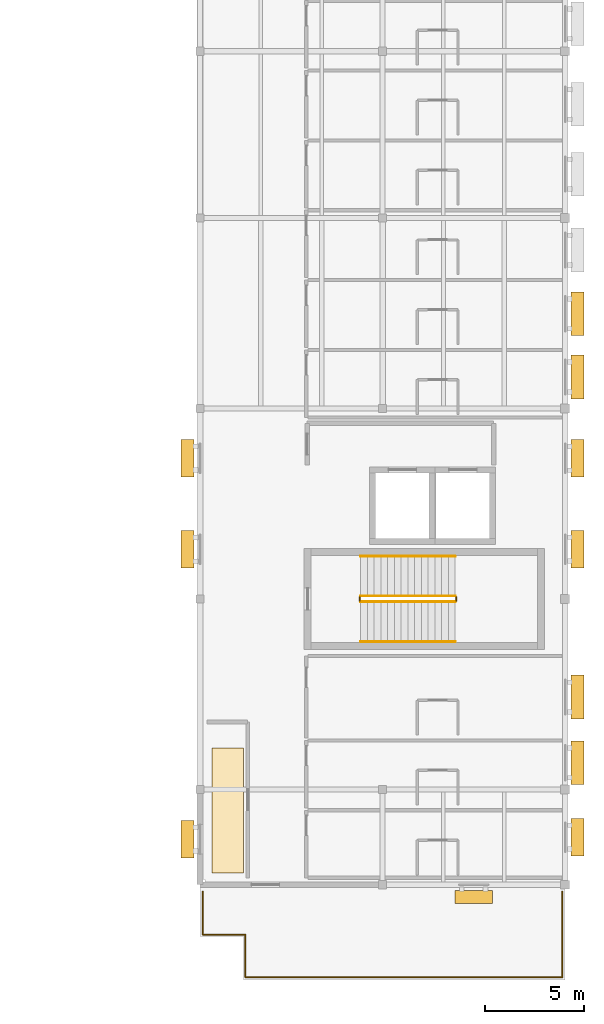
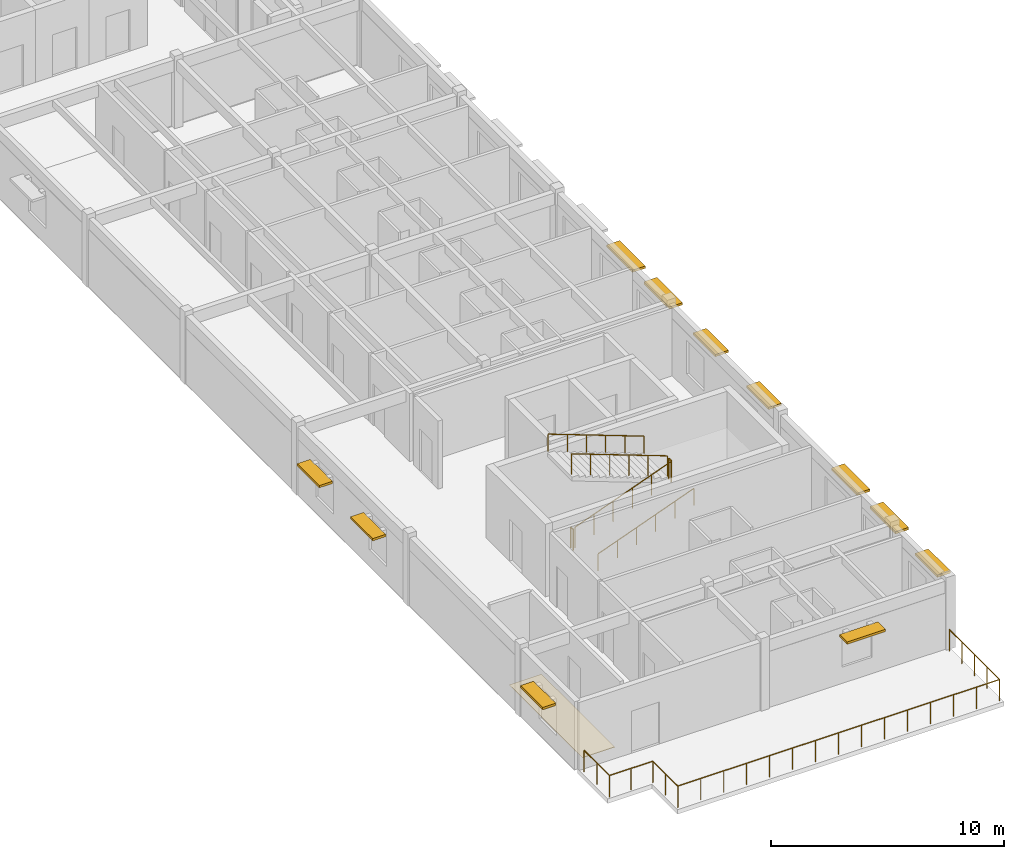
# One storey, part 12 of 15: 11 shading devices, 7 railings, 1 covering.
"""IFC4 building model written with IfcOpenShell, lengths in metres."""

from ifc_helpers import new_model, si_unit, direction, frame, origin, origin_2d, place, context, subcontext, project, spatial, polyline, rectangle, circle, outline, extrude, material, layer, layer_set, type_object, element, save


model = new_model("IFC4")

# Units and contexts
model_context = context("Model", 3, precision=1e-05, world=origin(), true_north=direction((0.0, 1.0)))
body_context = subcontext(model_context, "Body", "Model", "MODEL_VIEW")
ifc_project = project(units=[si_unit("LENGTHUNIT", "METRE"), si_unit("AREAUNIT", "SQUARE_METRE"), si_unit("VOLUMEUNIT", "CUBIC_METRE"), si_unit("PLANEANGLEUNIT", "RADIAN"), si_unit("MASSUNIT", "GRAM", prefix="KILO")], contexts=[model_context])

# Site, building, storey
site_placement = place(None, origin())
site = spatial("IfcSite", under=ifc_project, at=site_placement, CompositionType="ELEMENT")
building_placement = place(site_placement, origin())
building = spatial("IfcBuilding", under=site, at=building_placement, Name="Veldera Park Congress Hotel", CompositionType="ELEMENT")
storey_placement = place(building_placement, frame((0.0, 0.0, 39.0)))
storey = spatial("IfcBuildingStorey", under=building, at=storey_placement, Name="L09", CompositionType="ELEMENT", Elevation=39.0)

# Railing
ifc_material_1 = material(Name="Low-E Triple Insulating Glass Unit (SHGC 0.22)", Category="glass")
railing_type_1 = type_object("IfcRailingType", Name="BAL-TER115", PredefinedType="BALUSTRADE", material=ifc_material_1)
railing_1_placement = place(storey_placement, frame((65.739990234375, -23.739990234375, 0.0)))
element("IfcRailing", 1, at=railing_1_placement, inside=storey, type_object=railing_type_1, Name="L09 Terrace Guard 007", PredefinedType="BALUSTRADE", context=body_context, shape_type="SweptSolid", body=[
    extrude(circle(Radius=0.02392578125, at=origin_2d()), frame((0.0, 0.0, 1.1259765625), z_axis=(0.0, -1.0, 0.0), x_axis=(1.0, 0.0, 0.0)), (0.0, 0.0, 1.0), 2.169921875),
    extrude(circle(Radius=0.02392578125, at=origin_2d()), frame((0.0, -2.169921875, 1.1259765625), z_axis=(1.0, 0.0, 0.0), x_axis=(0.0, 1.0, 0.0)), (0.0, 0.0, 1.0), 2.14990234375),
    extrude(circle(Radius=0.02392578125, at=origin_2d()), frame((2.14990234375, -2.169921875, 1.1259765625), z_axis=(0.0, -1.0, 0.0), x_axis=(1.0, 0.0, 0.0)), (0.0, 0.0, 1.0), 2.150146484375),
    extrude(circle(Radius=0.02392578125, at=origin_2d()), frame((2.14990234375, -4.320068359375, 1.1259765625), z_axis=(1.0, 0.0, 0.0), x_axis=(0.0, 1.0, 0.0)), (0.0, 0.0, 1.0), 15.97021484375),
    extrude(circle(Radius=0.02392578125, at=origin_2d()), frame((18.1201171875, -4.320068359375, 1.1259765625), z_axis=(0.0, 1.0, 0.0), x_axis=(-1.0, 0.0, 0.0)), (0.0, 0.0, 1.0), 4.320068359375),
    extrude(circle(Radius=0.02099609375, at=origin_2d()), origin(), (0.0, 0.0, 1.0), 1.101806640625),
    extrude(circle(Radius=0.02099609375, at=origin_2d()), frame((0.0, -1.0849609375, 0.0)), (0.0, 0.0, 1.0), 1.101806640625),
    extrude(circle(Radius=0.02099609375, at=origin_2d()), frame((0.0, -2.169921875, 0.0)), (0.0, 0.0, 1.0), 1.101806640625),
    extrude(circle(Radius=0.02099609375, at=origin_2d()), frame((1.074951171875, -2.169921875, 0.0)), (0.0, 0.0, 1.0), 1.101806640625),
    extrude(circle(Radius=0.02099609375, at=origin_2d()), frame((2.14990234375, -2.169921875, 0.0)), (0.0, 0.0, 1.0), 1.101806640625),
    extrude(circle(Radius=0.02099609375, at=origin_2d()), frame((2.14990234375, -3.2451171875, 0.0)), (0.0, 0.0, 1.0), 1.101806640625),
    extrude(circle(Radius=0.02099609375, at=origin_2d()), frame((2.14990234375, -4.320068359375, 0.0)), (0.0, 0.0, 1.0), 1.101806640625),
    extrude(circle(Radius=0.02099609375, at=origin_2d()), frame((3.29052734375, -4.320068359375, 0.0)), (0.0, 0.0, 1.0), 1.101806640625),
    extrude(circle(Radius=0.02099609375, at=origin_2d()), frame((4.431396484375, -4.320068359375, 0.0)), (0.0, 0.0, 1.0), 1.101806640625),
    extrude(circle(Radius=0.02099609375, at=origin_2d()), frame((5.572021484375, -4.320068359375, 0.0)), (0.0, 0.0, 1.0), 1.101806640625),
    extrude(circle(Radius=0.02099609375, at=origin_2d()), frame((6.712890625, -4.320068359375, 0.0)), (0.0, 0.0, 1.0), 1.101806640625),
    extrude(circle(Radius=0.02099609375, at=origin_2d()), frame((7.853515625, -4.320068359375, 0.0)), (0.0, 0.0, 1.0), 1.101806640625),
    extrude(circle(Radius=0.02099609375, at=origin_2d()), frame((8.994384765625, -4.320068359375, 0.0)), (0.0, 0.0, 1.0), 1.101806640625),
    extrude(circle(Radius=0.02099609375, at=origin_2d()), frame((10.135009765625, -4.320068359375, 0.0)), (0.0, 0.0, 1.0), 1.101806640625),
    extrude(circle(Radius=0.02099609375, at=origin_2d()), frame((11.275634765625, -4.320068359375, 0.0)), (0.0, 0.0, 1.0), 1.101806640625),
    extrude(circle(Radius=0.02099609375, at=origin_2d()), frame((12.41650390625, -4.320068359375, 0.0)), (0.0, 0.0, 1.0), 1.101806640625),
    extrude(circle(Radius=0.02099609375, at=origin_2d()), frame((13.55712890625, -4.320068359375, 0.0)), (0.0, 0.0, 1.0), 1.101806640625),
    extrude(circle(Radius=0.02099609375, at=origin_2d()), frame((14.697998046875, -4.320068359375, 0.0)), (0.0, 0.0, 1.0), 1.101806640625),
    extrude(circle(Radius=0.02099609375, at=origin_2d()), frame((15.838623046875, -4.320068359375, 0.0)), (0.0, 0.0, 1.0), 1.101806640625),
    extrude(circle(Radius=0.02099609375, at=origin_2d()), frame((16.9794921875, -4.320068359375, 0.0)), (0.0, 0.0, 1.0), 1.101806640625),
    extrude(circle(Radius=0.02099609375, at=origin_2d()), frame((18.1201171875, -4.320068359375, 0.0)), (0.0, 0.0, 1.0), 1.101806640625),
    extrude(circle(Radius=0.02099609375, at=origin_2d()), frame((18.1201171875, -3.239990234375, 0.0)), (0.0, 0.0, 1.0), 1.101806640625),
    extrude(circle(Radius=0.02099609375, at=origin_2d()), frame((18.1201171875, -2.16015625, 0.0)), (0.0, 0.0, 1.0), 1.101806640625),
    extrude(circle(Radius=0.02099609375, at=origin_2d()), frame((18.1201171875, -1.080078125, 0.0)), (0.0, 0.0, 1.0), 1.101806640625),
    extrude(circle(Radius=0.02099609375, at=origin_2d()), frame((18.1201171875, 0.0, 0.0)), (0.0, 0.0, 1.0), 1.101806640625),
])

# Covering
ifc_material_2 = material(Name="Engineered White Oak Plank Flooring", Category="wood")
ifc_layer = layer(ifc_material_2, 0.02197265625)
ifc_layer_set = layer_set([ifc_layer], Name="Engineered White Oak Plank Flooring")
covering_type = type_object("IfcCoveringType", Name="COV-FLR-OAK", PredefinedType="FLOORING", material=ifc_layer_set)
covering_placement = place(storey_placement, origin())
element("IfcCovering", 2, at=covering_placement, inside=storey, type_object=covering_type, Name="Canyon Overlook Lounge Oak Flooring", PredefinedType="FLOORING", context=body_context, shape_type="SweptSolid", body=[
    extrude(outline(polyline([(66.199951171875, -22.800048828125), (67.800048828125, -22.800048828125), (67.800048828125, -16.5), (66.199951171875, -16.5), (66.199951171875, -22.800048828125)])), origin(), (0.0, 0.0, 1.0), 0.02197265625),
])

# Railings
ifc_material_3 = material(Name="Steel ASTM A992 Gr.50", Category="steel")
railing_type_2 = type_object("IfcRailingType", Name="GRD-ST110", PredefinedType="GUARDRAIL", material=ifc_material_3)
railing_2_placement = place(storey_placement, frame((73.699951171875, -9.14990234375, 0.126708984375)))
element("IfcRailing", 3, at=railing_2_placement, inside=storey, type_object=railing_type_2, Name="L09 ST2 stair guard 1", PredefinedType="GUARDRAIL", context=body_context, shape_type="SweptSolid", body=[
    extrude(circle(Radius=0.02392578125, at=origin_2d()), frame((0.0, 0.0, 1.076171875), z_axis=(0.937091363699, 0.0, 0.349084196263), x_axis=(0.0, 1.0, 0.0)), (0.0, 0.0, 1.0), 5.07958984375),
    extrude(circle(Radius=0.02099609375, at=origin_2d()), origin(), (0.0, 0.0, 1.0), 1.052001953125),
    extrude(circle(Radius=0.02099609375, at=origin_2d()), frame((0.951904296875, 0.0, 0.354736328125)), (0.0, 0.0, 1.0), 1.052001953125),
    extrude(circle(Radius=0.02099609375, at=origin_2d()), frame((1.904052734375, 0.0, 0.709228515625)), (0.0, 0.0, 1.0), 1.052001953125),
    extrude(circle(Radius=0.02099609375, at=origin_2d()), frame((2.85595703125, 0.0, 1.06396484375)), (0.0, 0.0, 1.0), 1.052001953125),
    extrude(circle(Radius=0.02099609375, at=origin_2d()), frame((3.80810546875, 0.0, 1.41845703125)), (0.0, 0.0, 1.0), 1.052001953125),
    extrude(circle(Radius=0.02099609375, at=origin_2d()), frame((4.760009765625, 0.0, 1.773193359375)), (0.0, 0.0, 1.0), 1.052001953125),
])
railing_3_placement = place(storey_placement, frame((78.510009765625, -9.10009765625, 1.89990234375)))
element("IfcRailing", 4, at=railing_3_placement, inside=storey, type_object=railing_type_2, Name="L09 ST2 stair guard 2", PredefinedType="GUARDRAIL", context=body_context, shape_type="SweptSolid", body=[
    extrude(circle(Radius=0.02392578125, at=origin_2d()), frame((0.0, 0.0, 1.076171875), z_axis=(0.0, 1.0, 0.0), x_axis=(-1.0, 0.0, 0.0)), (0.0, 0.0, 1.0), 0.2001953125),
    extrude(circle(Radius=0.02099609375, at=origin_2d()), origin(), (0.0, 0.0, 1.0), 1.052001953125),
    extrude(circle(Radius=0.02099609375, at=origin_2d()), frame((0.0, 0.2001953125, 0.0)), (0.0, 0.0, 1.0), 1.052001953125),
])
railing_4_placement = place(storey_placement, frame((78.4599609375, -8.85009765625, 2.026611328125)))
element("IfcRailing", 5, at=railing_4_placement, inside=storey, type_object=railing_type_2, Name="L09 ST2 stair guard 3", PredefinedType="GUARDRAIL", context=body_context, shape_type="SweptSolid", body=[
    extrude(circle(Radius=0.02392578125, at=origin_2d()), frame((0.0, 0.0, 1.076171875), z_axis=(-0.937075640343, 0.0, 0.349126401572), x_axis=(0.0, -1.0, 0.0)), (0.0, 0.0, 1.0), 5.07958984375),
    extrude(circle(Radius=0.02099609375, at=origin_2d()), origin(), (0.0, 0.0, 1.0), 1.052001953125),
    extrude(circle(Radius=0.02099609375, at=origin_2d()), frame((-0.951904296875, 0.0, 0.354736328125)), (0.0, 0.0, 1.0), 1.052001953125),
    extrude(circle(Radius=0.02099609375, at=origin_2d()), frame((-1.904052734375, 0.0, 0.70947265625)), (0.0, 0.0, 1.0), 1.052001953125),
    extrude(circle(Radius=0.02099609375, at=origin_2d()), frame((-2.85595703125, 0.0, 1.06396484375)), (0.0, 0.0, 1.0), 1.052001953125),
    extrude(circle(Radius=0.02099609375, at=origin_2d()), frame((-3.80810546875, 0.0, 1.418701171875)), (0.0, 0.0, 1.0), 1.052001953125),
    extrude(circle(Radius=0.02099609375, at=origin_2d()), frame((-4.760009765625, 0.0, 1.7734375)), (0.0, 0.0, 1.0), 1.052001953125),
])
railing_5_placement = place(storey_placement, frame((73.64990234375, -9.10009765625, 0.0)))
element("IfcRailing", 6, at=railing_5_placement, inside=storey, type_object=railing_type_2, Name="L09 ST2 stair guard 4", PredefinedType="GUARDRAIL", context=body_context, shape_type="SweptSolid", body=[
    extrude(circle(Radius=0.02392578125, at=origin_2d()), frame((0.0, 0.0, 1.076171875), z_axis=(0.0, 1.0, 0.0), x_axis=(-1.0, 0.0, 0.0)), (0.0, 0.0, 1.0), 0.2001953125),
    extrude(circle(Radius=0.02099609375, at=origin_2d()), origin(), (0.0, 0.0, 1.0), 1.052001953125),
    extrude(circle(Radius=0.02099609375, at=origin_2d()), frame((0.0, 0.2001953125, 0.0)), (0.0, 0.0, 1.0), 1.052001953125),
])
railing_type_3 = type_object("IfcRailingType", Name="HRL-920", PredefinedType="HANDRAIL", material=ifc_material_3)
railing_6_placement = place(storey_placement, frame((73.699951171875, -11.14990234375, 0.126708984375)))
element("IfcRailing", 7, at=railing_6_placement, inside=storey, type_object=railing_type_3, Name="L09 ST2 stair handrail 1", PredefinedType="HANDRAIL", context=body_context, shape_type="SweptSolid", body=[
    extrude(circle(Radius=0.02392578125, at=origin_2d()), frame((0.0, 0.0, 0.89599609375), z_axis=(0.937091363699, 0.0, 0.349084196263), x_axis=(0.0, 1.0, 0.0)), (0.0, 0.0, 1.0), 5.07958984375),
    extrude(circle(Radius=0.02099609375, at=origin_2d()), origin(), (0.0, 0.0, 1.0), 0.871826171875),
    extrude(circle(Radius=0.02099609375, at=origin_2d()), frame((0.951904296875, 0.0, 0.354736328125)), (0.0, 0.0, 1.0), 0.871826171875),
    extrude(circle(Radius=0.02099609375, at=origin_2d()), frame((1.904052734375, 0.0, 0.709228515625)), (0.0, 0.0, 1.0), 0.871826171875),
    extrude(circle(Radius=0.02099609375, at=origin_2d()), frame((2.85595703125, 0.0, 1.06396484375)), (0.0, 0.0, 1.0), 0.871826171875),
    extrude(circle(Radius=0.02099609375, at=origin_2d()), frame((3.80810546875, 0.0, 1.41845703125)), (0.0, 0.0, 1.0), 0.871826171875),
    extrude(circle(Radius=0.02099609375, at=origin_2d()), frame((4.760009765625, 0.0, 1.773193359375)), (0.0, 0.0, 1.0), 0.871826171875),
])
railing_7_placement = place(storey_placement, frame((78.4599609375, -6.85009765625, 2.026611328125)))
element("IfcRailing", 8, at=railing_7_placement, inside=storey, type_object=railing_type_3, Name="L09 ST2 stair handrail 2", PredefinedType="HANDRAIL", context=body_context, shape_type="SweptSolid", body=[
    extrude(circle(Radius=0.02392578125, at=origin_2d()), frame((0.0, 0.0, 0.89599609375), z_axis=(-0.937075640343, 0.0, 0.349126401572), x_axis=(0.0, -1.0, 0.0)), (0.0, 0.0, 1.0), 5.07958984375),
    extrude(circle(Radius=0.02099609375, at=origin_2d()), origin(), (0.0, 0.0, 1.0), 0.871826171875),
    extrude(circle(Radius=0.02099609375, at=origin_2d()), frame((-0.951904296875, 0.0, 0.354736328125)), (0.0, 0.0, 1.0), 0.871826171875),
    extrude(circle(Radius=0.02099609375, at=origin_2d()), frame((-1.904052734375, 0.0, 0.70947265625)), (0.0, 0.0, 1.0), 0.871826171875),
    extrude(circle(Radius=0.02099609375, at=origin_2d()), frame((-2.85595703125, 0.0, 1.06396484375)), (0.0, 0.0, 1.0), 0.871826171875),
    extrude(circle(Radius=0.02099609375, at=origin_2d()), frame((-3.80810546875, 0.0, 1.418701171875)), (0.0, 0.0, 1.0), 0.871826171875),
    extrude(circle(Radius=0.02099609375, at=origin_2d()), frame((-4.760009765625, 0.0, 1.7734375)), (0.0, 0.0, 1.0), 0.871826171875),
])

# Shading devices
ifc_material_4 = material(Name="Glulam GL28h (NDS 24F-V4)", Category="wood")
shading_device_type = type_object("IfcShadingDeviceType", Name="SHD-LVR300", PredefinedType="JALOUSIE", material=ifc_material_4)
for number, where, z_axis, x_axis, name in (
    (9, (79.392578125, -24.02490234375, 2.619873046875), (0.0, 0.0, 1.0), (1.0, 0.0, 0.0), "Glulam Solar Shade 231"),
    (10, (84.625, -21.0, 2.619873046875), (0.0, 0.0, 1.0), (0.0, 1.0, 0.0), "Glulam Solar Shade 232"),
    (11, (84.625, -6.488525390625, 2.619873046875), (0.0, 0.0, 1.0), (0.0, 1.0, 0.0), "Glulam Solar Shade 233"),
    (12, (84.625, -1.91162109375, 2.619873046875), (0.0, 0.0, 1.0), (0.0, 1.0, 0.0), "Glulam Solar Shade 234"),
    (13, (64.97509765625, -1.904052734375, 2.619873046875), (0.0, 0.0, 1.0), (0.0, -1.0, 0.0), "Glulam Solar Shade 245"),
    (14, (64.97509765625, -6.49609375, 2.619873046875), (0.0, 0.0, 1.0), (0.0, -1.0, 0.0), "Glulam Solar Shade 246"),
    (15, (64.97509765625, -21.10400390625, 2.619873046875), (0.0, 0.0, 1.0), (0.0, -1.0, 0.0), "Glulam Solar Shade 247"),
):
    element("IfcShadingDevice", number, at=place(storey_placement, frame(where, z_axis=z_axis, x_axis=x_axis)), inside=storey, type_object=shading_device_type, Name=name, PredefinedType="JALOUSIE", context=body_context, shape_type="SweptSolid", body=[
        extrude(rectangle(XDim=1.89990234375, YDim=0.64990234375, at=origin_2d()), origin(), (0.0, 0.0, 1.0), 0.1201171875),
    ])
for number, where, z_axis, x_axis, name in (
    (16, (84.625, -17.25341796875, 2.719970703125), (0.0, 0.0, 1.0), (0.0, 1.0, 0.0), "Glulam Solar Shade 476"),
    (17, (84.625, -13.93994140625, 2.719970703125), (0.0, 0.0, 1.0), (0.0, 1.0, 0.0), "Glulam Solar Shade 477"),
    (18, (84.625, 2.1865234375, 2.719970703125), (0.0, 0.0, 1.0), (0.0, 1.0, 0.0), "Glulam Solar Shade 478"),
    (19, (84.625, 5.3701171875, 2.719970703125), (0.0, 0.0, 1.0), (0.0, 1.0, 0.0), "Glulam Solar Shade 479"),
):
    element("IfcShadingDevice", number, at=place(storey_placement, frame(where, z_axis=z_axis, x_axis=x_axis)), inside=storey, type_object=shading_device_type, Name=name, PredefinedType="JALOUSIE", context=body_context, shape_type="SweptSolid", body=[
        extrude(rectangle(XDim=2.199951171875, YDim=0.64990234375, at=origin_2d()), origin(), (0.0, 0.0, 1.0), 0.1201171875),
    ])

save(model, "model.ifc")
